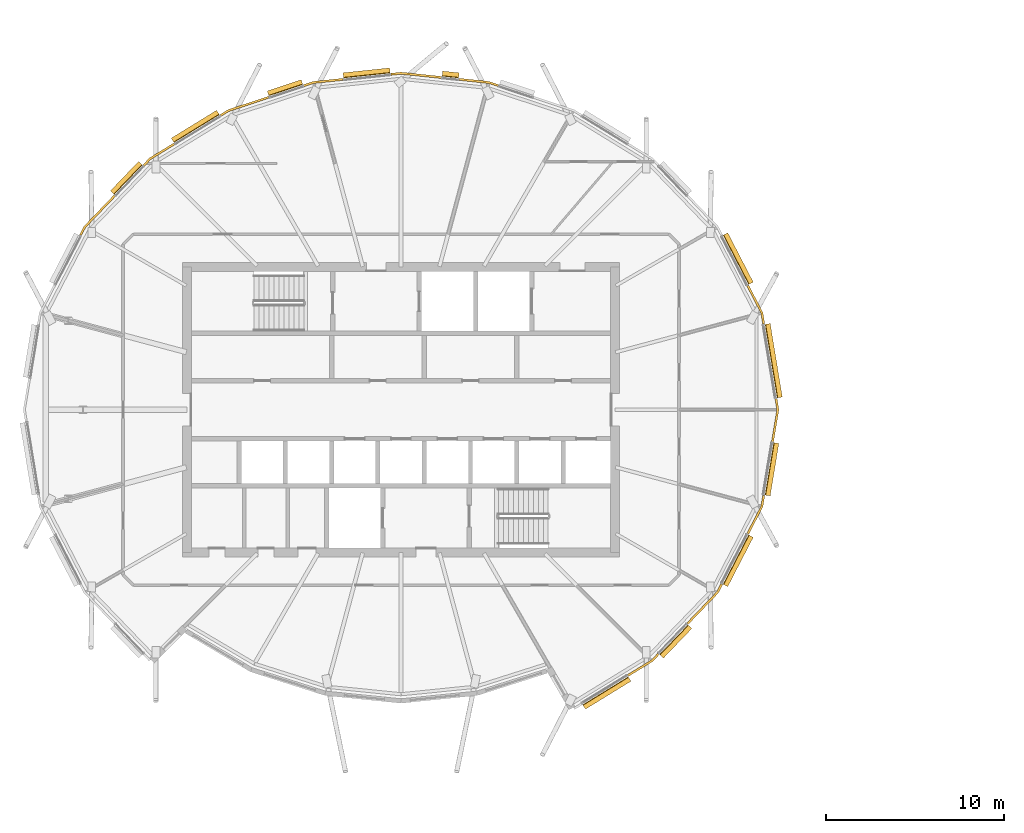
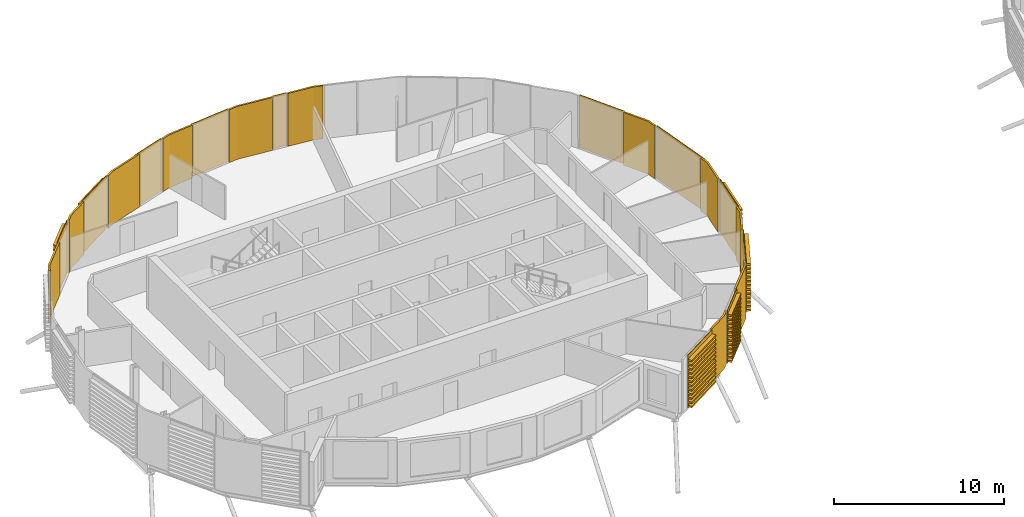
# One storey, part 35 of 38: 22 coverings.
"""IFC4 building model written with IfcOpenShell, lengths in metres."""

from ifc_helpers import new_model, si_unit, direction, frame, origin, place, context, subcontext, project, spatial, polyline, outline, extrude, material, layer, layer_set, material_profile, profile_set, type_object, element, save


model = new_model("IFC4")

# Units and contexts
model_context = context("Model", 3, precision=1e-05, world=origin(), true_north=direction((0.0, 1.0)))
body_context = subcontext(model_context, "Body", "Model", "MODEL_VIEW")
ifc_project = project(units=[si_unit("LENGTHUNIT", "METRE"), si_unit("AREAUNIT", "SQUARE_METRE"), si_unit("VOLUMEUNIT", "CUBIC_METRE"), si_unit("PLANEANGLEUNIT", "RADIAN"), si_unit("MASSUNIT", "GRAM", prefix="KILO")], contexts=[model_context])

# Site, building, storey
site_placement = place(None, origin())
site = spatial("IfcSite", under=ifc_project, at=site_placement, CompositionType="ELEMENT")
building_placement = place(site_placement, origin())
building = spatial("IfcBuilding", under=site, at=building_placement, Name="Rimbun Link Towers", CompositionType="ELEMENT")
storey_placement = place(building_placement, frame((0.0, 0.0, 218.10009765625)))
storey = spatial("IfcBuildingStorey", under=building, at=storey_placement, Name="L53", CompositionType="ELEMENT", Elevation=218.10009765625)

# Coverings
ifc_material_1 = material(Name="Terracotta", Category="masonry")
ifc_layer = layer(ifc_material_1, 0.1201171875)
ifc_layer_set = layer_set([ifc_layer], Name="LINK PIER terracotta cladding 120")
covering_type_1 = type_object("IfcCoveringType", Name="LINK PIER terracotta cladding 120", PredefinedType="CLADDING", material=ifc_layer_set)
covering_1_placement = place(storey_placement, origin())
element("IfcCovering", 1, at=covering_1_placement, inside=storey, type_object=covering_type_1, Name="LINK PIER cladding", PredefinedType="CLADDING", context=body_context, shape_type="SweptSolid", body=[
    extrude(outline(polyline([(-10.790283203125, 0.61181640625), (-10.689697265625, 0.0), (-10.985107421875, -1.7958984375), (-10.86669921875, -1.8154296875), (-10.568115234375, 0.0), (-10.671875, 0.63134765625), (-10.790283203125, 0.61181640625)])), origin(), (0.0, 0.0, 1.0), 3.7998046875),
])
covering_2_placement = place(storey_placement, origin())
element("IfcCovering", 2, at=covering_2_placement, inside=storey, type_object=covering_type_1, Name="LINK PIER cladding", PredefinedType="CLADDING", context=body_context, shape_type="SweptSolid", body=[
    extrude(outline(polyline([(-12.369140625, 6.9326171875), (-11.57861328125, 5.40478515625), (-11.47802734375, 4.793212890625), (-11.359619140625, 4.8125), (-11.46337890625, 5.443115234375), (-12.262451171875, 6.987548828125), (-12.369140625, 6.9326171875)])), origin(), (0.0, 0.0, 1.0), 3.7998046875),
])
covering_3_placement = place(storey_placement, origin())
element("IfcCovering", 3, at=covering_3_placement, inside=storey, type_object=covering_type_1, Name="LINK PIER cladding", PredefinedType="CLADDING", context=body_context, shape_type="SweptSolid", body=[
    extrude(outline(polyline([(-28.510498046875, 18.462646484375), (-26.849853515625, 18.28759765625), (-26.308837890625, 18.1083984375), (-26.27099609375, 18.222412109375), (-26.824462890625, 18.40576171875), (-28.498046875, 18.58203125), (-28.510498046875, 18.462646484375)])), origin(), (0.0, 0.0, 1.0), 3.7998046875),
])
covering_4_placement = place(storey_placement, origin())
element("IfcCovering", 4, at=covering_4_placement, inside=storey, type_object=covering_type_1, Name="LINK PIER cladding", PredefinedType="CLADDING", context=body_context, shape_type="SweptSolid", body=[
    extrude(outline(polyline([(-32.31689453125, 18.743896484375), (-31.75, 18.8037109375), (-29.492431640625, 18.56591796875), (-29.47998046875, 18.685302734375), (-31.75, 18.92431640625), (-32.329345703125, 18.86328125), (-32.31689453125, 18.743896484375)])), origin(), (0.0, 0.0, 1.0), 3.7998046875),
])
covering_5_placement = place(storey_placement, origin())
element("IfcCovering", 5, at=covering_5_placement, inside=storey, type_object=covering_type_1, Name="LINK PIER cladding", PredefinedType="CLADDING", context=body_context, shape_type="SweptSolid", body=[
    extrude(outline(polyline([(-37.191162109375, 18.1083984375), (-36.650146484375, 18.28759765625), (-34.989501953125, 18.462646484375), (-35.001953125, 18.58203125), (-36.675537109375, 18.40576171875), (-37.22900390625, 18.222412109375), (-37.191162109375, 18.1083984375)])), origin(), (0.0, 0.0, 1.0), 3.7998046875),
])
covering_6_placement = place(storey_placement, origin())
element("IfcCovering", 6, at=covering_6_placement, inside=storey, type_object=covering_type_1, Name="LINK PIER cladding", PredefinedType="CLADDING", context=body_context, shape_type="SweptSolid", body=[
    extrude(outline(polyline([(-41.8427734375, 16.441650390625), (-41.399658203125, 16.713623046875), (-39.14990234375, 17.459228515625), (-39.187744140625, 17.5732421875), (-41.45068359375, 16.8232421875), (-41.905517578125, 16.5439453125), (-41.8427734375, 16.441650390625)])), origin(), (0.0, 0.0, 1.0), 3.7998046875),
])
covering_7_placement = place(storey_placement, origin())
element("IfcCovering", 7, at=covering_7_placement, inside=storey, type_object=covering_type_1, Name="LINK PIER cladding", PredefinedType="CLADDING", context=body_context, shape_type="SweptSolid", body=[
    extrude(outline(polyline([(-46.13623046875, 13.651123046875), (-45.7763671875, 14.0263671875), (-44.4384765625, 14.847900390625), (-44.501220703125, 14.9501953125), (-45.852294921875, 14.12060546875), (-46.222900390625, 13.734130859375), (-46.13623046875, 13.651123046875)])), origin(), (0.0, 0.0, 1.0), 3.7998046875),
])
covering_8_placement = place(storey_placement, origin())
element("IfcCovering", 8, at=covering_8_placement, inside=storey, type_object=covering_type_1, Name="LINK PIER cladding", PredefinedType="CLADDING", context=body_context, shape_type="SweptSolid", body=[
    extrude(outline(polyline([(-49.673828125, 9.74853515625), (-49.434814453125, 10.21044921875), (-47.760009765625, 11.957275390625), (-47.8466796875, 12.040283203125), (-49.533447265625, 10.281005859375), (-49.780517578125, 9.8037109375), (-49.673828125, 9.74853515625)])), origin(), (0.0, 0.0, 1.0), 3.7998046875),
])
covering_9_placement = place(storey_placement, origin())
element("IfcCovering", 9, at=covering_9_placement, inside=storey, type_object=covering_type_1, Name="LINK PIER cladding", PredefinedType="CLADDING", context=body_context, shape_type="SweptSolid", body=[
    extrude(outline(polyline([(-17.36376953125, -13.651123046875), (-17.7236328125, -14.0263671875), (-19.0615234375, -14.847900390625), (-18.998779296875, -14.9501953125), (-17.647705078125, -14.12060546875), (-17.277099609375, -13.734130859375), (-17.36376953125, -13.651123046875)])), origin(), (0.0, 0.0, 1.0), 3.7998046875),
])
covering_10_placement = place(storey_placement, origin())
element("IfcCovering", 10, at=covering_10_placement, inside=storey, type_object=covering_type_1, Name="LINK PIER cladding", PredefinedType="CLADDING", context=body_context, shape_type="SweptSolid", body=[
    extrude(outline(polyline([(-13.826171875, -9.74853515625), (-14.065185546875, -10.21044921875), (-15.739990234375, -11.957275390625), (-15.6533203125, -12.040283203125), (-13.966552734375, -10.281005859375), (-13.719482421875, -9.8037109375), (-13.826171875, -9.74853515625)])), origin(), (0.0, 0.0, 1.0), 3.7998046875),
])
covering_11_placement = place(storey_placement, origin())
element("IfcCovering", 11, at=covering_11_placement, inside=storey, type_object=covering_type_1, Name="LINK PIER cladding", PredefinedType="CLADDING", context=body_context, shape_type="SweptSolid", body=[
    extrude(outline(polyline([(-11.47802734375, -4.793212890625), (-11.57861328125, -5.40478515625), (-12.369140625, -6.9326171875), (-12.262451171875, -6.987548828125), (-11.46337890625, -5.443115234375), (-11.359619140625, -4.8125), (-11.47802734375, -4.793212890625)])), origin(), (0.0, 0.0, 1.0), 3.7998046875),
])
ifc_material_2 = material(Name="Terracotta", Category="masonry")
ifc_material_profile = material_profile(ifc_material_2, outline(polyline([(0.123046875, 0.0), (0.1630859375, 0.0), (0.1630859375, 0.10009765625), (0.423095703125, 0.10009765625), (0.423095703125, 0.219970703125), (0.1630859375, 0.219970703125), (0.1630859375, 0.39990234375), (0.423095703125, 0.39990234375), (0.423095703125, 0.52001953125), (0.1630859375, 0.52001953125), (0.1630859375, 0.699951171875), (0.423095703125, 0.699951171875), (0.423095703125, 0.820068359375), (0.1630859375, 0.820068359375), (0.1630859375, 1.0), (0.423095703125, 1.0), (0.423095703125, 1.1201171875), (0.1630859375, 1.1201171875), (0.1630859375, 1.300048828125), (0.423095703125, 1.300048828125), (0.423095703125, 1.419921875), (0.1630859375, 1.419921875), (0.1630859375, 1.60009765625), (0.423095703125, 1.60009765625), (0.423095703125, 1.719970703125), (0.1630859375, 1.719970703125), (0.1630859375, 1.89990234375), (0.423095703125, 1.89990234375), (0.423095703125, 2.02001953125), (0.1630859375, 2.02001953125), (0.1630859375, 2.199951171875), (0.423095703125, 2.199951171875), (0.423095703125, 2.320068359375), (0.1630859375, 2.320068359375), (0.1630859375, 2.5), (0.423095703125, 2.5), (0.423095703125, 2.6201171875), (0.1630859375, 2.6201171875), (0.1630859375, 2.800048828125), (0.423095703125, 2.800048828125), (0.423095703125, 2.919921875), (0.1630859375, 2.919921875), (0.1630859375, 3.10009765625), (0.423095703125, 3.10009765625), (0.423095703125, 3.219970703125), (0.1630859375, 3.219970703125), (0.1630859375, 3.39990234375), (0.423095703125, 3.39990234375), (0.423095703125, 3.52001953125), (0.1630859375, 3.52001953125), (0.1630859375, 3.800048828125), (0.123046875, 3.800048828125), (0.123046875, 0.0)])), Name="BAGUETTE 120X300")
ifc_profile_set = profile_set([ifc_material_profile], Name="Terracotta")
covering_type_2 = type_object("IfcCoveringType", Name="TERRACOTTA BAGUETTE 120X300 H3800", PredefinedType="CLADDING", material=ifc_profile_set)
covering_12_placement = place(storey_placement, frame((-11.47314453125, 4.763427734375, 0.0), z_axis=(0.162294685122, -0.986742334747, 0.0), x_axis=(0.986742334747, 0.162294685122, 0.0)))
element("IfcCovering", 12, at=covering_12_placement, inside=storey, type_object=covering_type_2, Name="TERRACOTTA BAGUETTE", PredefinedType="CLADDING", context=body_context, shape_type="SweptSolid", body=[
    extrude(outline(polyline([(0.123046875, 0.0), (0.1630859375, 0.0), (0.1630859375, 0.10009765625), (0.423095703125, 0.10009765625), (0.423095703125, 0.219970703125), (0.1630859375, 0.219970703125), (0.1630859375, 0.39990234375), (0.423095703125, 0.39990234375), (0.423095703125, 0.52001953125), (0.1630859375, 0.52001953125), (0.1630859375, 0.699951171875), (0.423095703125, 0.699951171875), (0.423095703125, 0.820068359375), (0.1630859375, 0.820068359375), (0.1630859375, 1.0), (0.423095703125, 1.0), (0.423095703125, 1.1201171875), (0.1630859375, 1.1201171875), (0.1630859375, 1.300048828125), (0.423095703125, 1.300048828125), (0.423095703125, 1.419921875), (0.1630859375, 1.419921875), (0.1630859375, 1.60009765625), (0.423095703125, 1.60009765625), (0.423095703125, 1.719970703125), (0.1630859375, 1.719970703125), (0.1630859375, 1.89990234375), (0.423095703125, 1.89990234375), (0.423095703125, 2.02001953125), (0.1630859375, 2.02001953125), (0.1630859375, 2.199951171875), (0.423095703125, 2.199951171875), (0.423095703125, 2.320068359375), (0.1630859375, 2.320068359375), (0.1630859375, 2.5), (0.423095703125, 2.5), (0.423095703125, 2.6201171875), (0.1630859375, 2.6201171875), (0.1630859375, 2.800048828125), (0.423095703125, 2.800048828125), (0.423095703125, 2.919921875), (0.1630859375, 2.919921875), (0.1630859375, 3.10009765625), (0.423095703125, 3.10009765625), (0.423095703125, 3.219970703125), (0.1630859375, 3.219970703125), (0.1630859375, 3.39990234375), (0.423095703125, 3.39990234375), (0.423095703125, 3.52001953125), (0.1630859375, 3.52001953125), (0.1630859375, 3.800048828125), (0.123046875, 3.800048828125), (0.123046875, 0.0)])), origin(), (0.0, 0.0, 1.0), 4.177490234375),
])
covering_13_placement = place(storey_placement, frame((-13.812255859375, 9.721923828125, 0.0), z_axis=(0.459540350584, -0.888156892776, 0.0), x_axis=(0.888156892776, 0.459540350584, 0.0)))
element("IfcCovering", 13, at=covering_13_placement, inside=storey, type_object=covering_type_2, Name="TERRACOTTA BAGUETTE", PredefinedType="CLADDING", context=body_context, shape_type="SweptSolid", body=[
    extrude(outline(polyline([(0.123046875, 0.0), (0.1630859375, 0.0), (0.1630859375, 0.10009765625), (0.423095703125, 0.10009765625), (0.423095703125, 0.219970703125), (0.1630859375, 0.219970703125), (0.1630859375, 0.39990234375), (0.423095703125, 0.39990234375), (0.423095703125, 0.52001953125), (0.1630859375, 0.52001953125), (0.1630859375, 0.699951171875), (0.423095703125, 0.699951171875), (0.423095703125, 0.820068359375), (0.1630859375, 0.820068359375), (0.1630859375, 1.0), (0.423095703125, 1.0), (0.423095703125, 1.1201171875), (0.1630859375, 1.1201171875), (0.1630859375, 1.300048828125), (0.423095703125, 1.300048828125), (0.423095703125, 1.419921875), (0.1630859375, 1.419921875), (0.1630859375, 1.60009765625), (0.423095703125, 1.60009765625), (0.423095703125, 1.719970703125), (0.1630859375, 1.719970703125), (0.1630859375, 1.89990234375), (0.423095703125, 1.89990234375), (0.423095703125, 2.02001953125), (0.1630859375, 2.02001953125), (0.1630859375, 2.199951171875), (0.423095703125, 2.199951171875), (0.423095703125, 2.320068359375), (0.1630859375, 2.320068359375), (0.1630859375, 2.5), (0.423095703125, 2.5), (0.423095703125, 2.6201171875), (0.1630859375, 2.6201171875), (0.1630859375, 2.800048828125), (0.423095703125, 2.800048828125), (0.423095703125, 2.919921875), (0.1630859375, 2.919921875), (0.1630859375, 3.10009765625), (0.423095703125, 3.10009765625), (0.423095703125, 3.219970703125), (0.1630859375, 3.219970703125), (0.1630859375, 3.39990234375), (0.423095703125, 3.39990234375), (0.423095703125, 3.52001953125), (0.1630859375, 3.52001953125), (0.1630859375, 3.800048828125), (0.123046875, 3.800048828125), (0.123046875, 0.0)])), origin(), (0.0, 0.0, 1.0), 3.110595703125),
])
covering_14_placement = place(storey_placement, frame((-29.462646484375, 18.562744140625, 0.0), z_axis=(0.994521312223, -0.104534011372, 0.0), x_axis=(0.104534011372, 0.994521312223, 0.0)))
element("IfcCovering", 14, at=covering_14_placement, inside=storey, type_object=covering_type_2, Name="TERRACOTTA BAGUETTE", PredefinedType="CLADDING", context=body_context, shape_type="SweptSolid", body=[
    extrude(outline(polyline([(0.123046875, 0.0), (0.1630859375, 0.0), (0.1630859375, 0.10009765625), (0.423095703125, 0.10009765625), (0.423095703125, 0.219970703125), (0.1630859375, 0.219970703125), (0.1630859375, 0.39990234375), (0.423095703125, 0.39990234375), (0.423095703125, 0.52001953125), (0.1630859375, 0.52001953125), (0.1630859375, 0.699951171875), (0.423095703125, 0.699951171875), (0.423095703125, 0.820068359375), (0.1630859375, 0.820068359375), (0.1630859375, 1.0), (0.423095703125, 1.0), (0.423095703125, 1.1201171875), (0.1630859375, 1.1201171875), (0.1630859375, 1.300048828125), (0.423095703125, 1.300048828125), (0.423095703125, 1.419921875), (0.1630859375, 1.419921875), (0.1630859375, 1.60009765625), (0.423095703125, 1.60009765625), (0.423095703125, 1.719970703125), (0.1630859375, 1.719970703125), (0.1630859375, 1.89990234375), (0.423095703125, 1.89990234375), (0.423095703125, 2.02001953125), (0.1630859375, 2.02001953125), (0.1630859375, 2.199951171875), (0.423095703125, 2.199951171875), (0.423095703125, 2.320068359375), (0.1630859375, 2.320068359375), (0.1630859375, 2.5), (0.423095703125, 2.5), (0.423095703125, 2.6201171875), (0.1630859375, 2.6201171875), (0.1630859375, 2.800048828125), (0.423095703125, 2.800048828125), (0.423095703125, 2.919921875), (0.1630859375, 2.919921875), (0.1630859375, 3.10009765625), (0.423095703125, 3.10009765625), (0.423095703125, 3.219970703125), (0.1630859375, 3.219970703125), (0.1630859375, 3.39990234375), (0.423095703125, 3.39990234375), (0.423095703125, 3.52001953125), (0.1630859375, 3.52001953125), (0.1630859375, 3.800048828125), (0.123046875, 3.800048828125), (0.123046875, 0.0)])), origin(), (0.0, 0.0, 1.0), 0.92724609375),
])
covering_15_placement = place(storey_placement, frame((-34.95947265625, 18.4658203125, 0.0), z_axis=(0.994500869285, 0.104728319911, 0.0), x_axis=(-0.104728319911, 0.994500869285, 0.0)))
element("IfcCovering", 15, at=covering_15_placement, inside=storey, type_object=covering_type_2, Name="TERRACOTTA BAGUETTE", PredefinedType="CLADDING", context=body_context, shape_type="SweptSolid", body=[
    extrude(outline(polyline([(0.123046875, 0.0), (0.1630859375, 0.0), (0.1630859375, 0.10009765625), (0.423095703125, 0.10009765625), (0.423095703125, 0.219970703125), (0.1630859375, 0.219970703125), (0.1630859375, 0.39990234375), (0.423095703125, 0.39990234375), (0.423095703125, 0.52001953125), (0.1630859375, 0.52001953125), (0.1630859375, 0.699951171875), (0.423095703125, 0.699951171875), (0.423095703125, 0.820068359375), (0.1630859375, 0.820068359375), (0.1630859375, 1.0), (0.423095703125, 1.0), (0.423095703125, 1.1201171875), (0.1630859375, 1.1201171875), (0.1630859375, 1.300048828125), (0.423095703125, 1.300048828125), (0.423095703125, 1.419921875), (0.1630859375, 1.419921875), (0.1630859375, 1.60009765625), (0.423095703125, 1.60009765625), (0.423095703125, 1.719970703125), (0.1630859375, 1.719970703125), (0.1630859375, 1.89990234375), (0.423095703125, 1.89990234375), (0.423095703125, 2.02001953125), (0.1630859375, 2.02001953125), (0.1630859375, 2.199951171875), (0.423095703125, 2.199951171875), (0.423095703125, 2.320068359375), (0.1630859375, 2.320068359375), (0.1630859375, 2.5), (0.423095703125, 2.5), (0.423095703125, 2.6201171875), (0.1630859375, 2.6201171875), (0.1630859375, 2.800048828125), (0.423095703125, 2.800048828125), (0.423095703125, 2.919921875), (0.1630859375, 2.919921875), (0.1630859375, 3.10009765625), (0.423095703125, 3.10009765625), (0.423095703125, 3.219970703125), (0.1630859375, 3.219970703125), (0.1630859375, 3.39990234375), (0.423095703125, 3.39990234375), (0.423095703125, 3.52001953125), (0.1630859375, 3.52001953125), (0.1630859375, 3.800048828125), (0.123046875, 3.800048828125), (0.123046875, 0.0)])), origin(), (0.0, 0.0, 1.0), 2.627197265625),
])
covering_16_placement = place(storey_placement, frame((-39.12158203125, 17.46875, 0.0), z_axis=(0.949254463086, 0.314509084625, 0.0), x_axis=(-0.314509084625, 0.949254463086, 0.0)))
element("IfcCovering", 16, at=covering_16_placement, inside=storey, type_object=covering_type_2, Name="TERRACOTTA BAGUETTE", PredefinedType="CLADDING", context=body_context, shape_type="SweptSolid", body=[
    extrude(outline(polyline([(0.123046875, 0.0), (0.1630859375, 0.0), (0.1630859375, 0.10009765625), (0.423095703125, 0.10009765625), (0.423095703125, 0.219970703125), (0.1630859375, 0.219970703125), (0.1630859375, 0.39990234375), (0.423095703125, 0.39990234375), (0.423095703125, 0.52001953125), (0.1630859375, 0.52001953125), (0.1630859375, 0.699951171875), (0.423095703125, 0.699951171875), (0.423095703125, 0.820068359375), (0.1630859375, 0.820068359375), (0.1630859375, 1.0), (0.423095703125, 1.0), (0.423095703125, 1.1201171875), (0.1630859375, 1.1201171875), (0.1630859375, 1.300048828125), (0.423095703125, 1.300048828125), (0.423095703125, 1.419921875), (0.1630859375, 1.419921875), (0.1630859375, 1.60009765625), (0.423095703125, 1.60009765625), (0.423095703125, 1.719970703125), (0.1630859375, 1.719970703125), (0.1630859375, 1.89990234375), (0.423095703125, 1.89990234375), (0.423095703125, 2.02001953125), (0.1630859375, 2.02001953125), (0.1630859375, 2.199951171875), (0.423095703125, 2.199951171875), (0.423095703125, 2.320068359375), (0.1630859375, 2.320068359375), (0.1630859375, 2.5), (0.423095703125, 2.5), (0.423095703125, 2.6201171875), (0.1630859375, 2.6201171875), (0.1630859375, 2.800048828125), (0.423095703125, 2.800048828125), (0.423095703125, 2.919921875), (0.1630859375, 2.919921875), (0.1630859375, 3.10009765625), (0.423095703125, 3.10009765625), (0.423095703125, 3.219970703125), (0.1630859375, 3.219970703125), (0.1630859375, 3.39990234375), (0.423095703125, 3.39990234375), (0.423095703125, 3.52001953125), (0.1630859375, 3.52001953125), (0.1630859375, 3.800048828125), (0.123046875, 3.800048828125), (0.123046875, 0.0)])), origin(), (0.0, 0.0, 1.0), 2.00341796875),
])
covering_17_placement = place(storey_placement, frame((-44.412841796875, 14.863525390625, 0.0), z_axis=(0.852152035837, 0.523294284145, 0.0), x_axis=(-0.523294284145, 0.852152035837, 0.0)))
element("IfcCovering", 17, at=covering_17_placement, inside=storey, type_object=covering_type_2, Name="TERRACOTTA BAGUETTE", PredefinedType="CLADDING", context=body_context, shape_type="SweptSolid", body=[
    extrude(outline(polyline([(0.123046875, 0.0), (0.1630859375, 0.0), (0.1630859375, 0.10009765625), (0.423095703125, 0.10009765625), (0.423095703125, 0.219970703125), (0.1630859375, 0.219970703125), (0.1630859375, 0.39990234375), (0.423095703125, 0.39990234375), (0.423095703125, 0.52001953125), (0.1630859375, 0.52001953125), (0.1630859375, 0.699951171875), (0.423095703125, 0.699951171875), (0.423095703125, 0.820068359375), (0.1630859375, 0.820068359375), (0.1630859375, 1.0), (0.423095703125, 1.0), (0.423095703125, 1.1201171875), (0.1630859375, 1.1201171875), (0.1630859375, 1.300048828125), (0.423095703125, 1.300048828125), (0.423095703125, 1.419921875), (0.1630859375, 1.419921875), (0.1630859375, 1.60009765625), (0.423095703125, 1.60009765625), (0.423095703125, 1.719970703125), (0.1630859375, 1.719970703125), (0.1630859375, 1.89990234375), (0.423095703125, 1.89990234375), (0.423095703125, 2.02001953125), (0.1630859375, 2.02001953125), (0.1630859375, 2.199951171875), (0.423095703125, 2.199951171875), (0.423095703125, 2.320068359375), (0.1630859375, 2.320068359375), (0.1630859375, 2.5), (0.423095703125, 2.5), (0.423095703125, 2.6201171875), (0.1630859375, 2.6201171875), (0.1630859375, 2.800048828125), (0.423095703125, 2.800048828125), (0.423095703125, 2.919921875), (0.1630859375, 2.919921875), (0.1630859375, 3.10009765625), (0.423095703125, 3.10009765625), (0.423095703125, 3.219970703125), (0.1630859375, 3.219970703125), (0.1630859375, 3.39990234375), (0.423095703125, 3.39990234375), (0.423095703125, 3.52001953125), (0.1630859375, 3.52001953125), (0.1630859375, 3.800048828125), (0.123046875, 3.800048828125), (0.123046875, 0.0)])), origin(), (0.0, 0.0, 1.0), 2.98583984375),
])
covering_18_placement = place(storey_placement, frame((-47.7392578125, 11.97900390625, 0.0), z_axis=(0.692053780348, 0.721845942779, 0.0), x_axis=(-0.721845942779, 0.692053780348, 0.0)))
element("IfcCovering", 18, at=covering_18_placement, inside=storey, type_object=covering_type_2, Name="TERRACOTTA BAGUETTE", PredefinedType="CLADDING", context=body_context, shape_type="SweptSolid", body=[
    extrude(outline(polyline([(0.123046875, 0.0), (0.1630859375, 0.0), (0.1630859375, 0.10009765625), (0.423095703125, 0.10009765625), (0.423095703125, 0.219970703125), (0.1630859375, 0.219970703125), (0.1630859375, 0.39990234375), (0.423095703125, 0.39990234375), (0.423095703125, 0.52001953125), (0.1630859375, 0.52001953125), (0.1630859375, 0.699951171875), (0.423095703125, 0.699951171875), (0.423095703125, 0.820068359375), (0.1630859375, 0.820068359375), (0.1630859375, 1.0), (0.423095703125, 1.0), (0.423095703125, 1.1201171875), (0.1630859375, 1.1201171875), (0.1630859375, 1.300048828125), (0.423095703125, 1.300048828125), (0.423095703125, 1.419921875), (0.1630859375, 1.419921875), (0.1630859375, 1.60009765625), (0.423095703125, 1.60009765625), (0.423095703125, 1.719970703125), (0.1630859375, 1.719970703125), (0.1630859375, 1.89990234375), (0.423095703125, 1.89990234375), (0.423095703125, 2.02001953125), (0.1630859375, 2.02001953125), (0.1630859375, 2.199951171875), (0.423095703125, 2.199951171875), (0.423095703125, 2.320068359375), (0.1630859375, 2.320068359375), (0.1630859375, 2.5), (0.423095703125, 2.5), (0.423095703125, 2.6201171875), (0.1630859375, 2.6201171875), (0.1630859375, 2.800048828125), (0.423095703125, 2.800048828125), (0.423095703125, 2.919921875), (0.1630859375, 2.919921875), (0.1630859375, 3.10009765625), (0.423095703125, 3.10009765625), (0.423095703125, 3.219970703125), (0.1630859375, 3.219970703125), (0.1630859375, 3.39990234375), (0.423095703125, 3.39990234375), (0.423095703125, 3.52001953125), (0.1630859375, 3.52001953125), (0.1630859375, 3.800048828125), (0.123046875, 3.800048828125), (0.123046875, 0.0)])), origin(), (0.0, 0.0, 1.0), 2.286376953125),
])
covering_19_placement = place(storey_placement, frame((-19.087158203125, -14.863525390625, 0.0), z_axis=(-0.852152035837, -0.523294284145, 0.0), x_axis=(0.523294284145, -0.852152035837, 0.0)))
element("IfcCovering", 19, at=covering_19_placement, inside=storey, type_object=covering_type_2, Name="TERRACOTTA BAGUETTE", PredefinedType="CLADDING", context=body_context, shape_type="SweptSolid", body=[
    extrude(outline(polyline([(0.123046875, 0.0), (0.1630859375, 0.0), (0.1630859375, 0.10009765625), (0.423095703125, 0.10009765625), (0.423095703125, 0.219970703125), (0.1630859375, 0.219970703125), (0.1630859375, 0.39990234375), (0.423095703125, 0.39990234375), (0.423095703125, 0.52001953125), (0.1630859375, 0.52001953125), (0.1630859375, 0.699951171875), (0.423095703125, 0.699951171875), (0.423095703125, 0.820068359375), (0.1630859375, 0.820068359375), (0.1630859375, 1.0), (0.423095703125, 1.0), (0.423095703125, 1.1201171875), (0.1630859375, 1.1201171875), (0.1630859375, 1.300048828125), (0.423095703125, 1.300048828125), (0.423095703125, 1.419921875), (0.1630859375, 1.419921875), (0.1630859375, 1.60009765625), (0.423095703125, 1.60009765625), (0.423095703125, 1.719970703125), (0.1630859375, 1.719970703125), (0.1630859375, 1.89990234375), (0.423095703125, 1.89990234375), (0.423095703125, 2.02001953125), (0.1630859375, 2.02001953125), (0.1630859375, 2.199951171875), (0.423095703125, 2.199951171875), (0.423095703125, 2.320068359375), (0.1630859375, 2.320068359375), (0.1630859375, 2.5), (0.423095703125, 2.5), (0.423095703125, 2.6201171875), (0.1630859375, 2.6201171875), (0.1630859375, 2.800048828125), (0.423095703125, 2.800048828125), (0.423095703125, 2.919921875), (0.1630859375, 2.919921875), (0.1630859375, 3.10009765625), (0.423095703125, 3.10009765625), (0.423095703125, 3.219970703125), (0.1630859375, 3.219970703125), (0.1630859375, 3.39990234375), (0.423095703125, 3.39990234375), (0.423095703125, 3.52001953125), (0.1630859375, 3.52001953125), (0.1630859375, 3.800048828125), (0.123046875, 3.800048828125), (0.123046875, 0.0)])), origin(), (0.0, 0.0, 1.0), 2.98583984375),
])
covering_20_placement = place(storey_placement, frame((-15.7607421875, -11.97900390625, 0.0), z_axis=(-0.692053780348, -0.721845942779, 0.0), x_axis=(0.721845942779, -0.692053780348, 0.0)))
element("IfcCovering", 20, at=covering_20_placement, inside=storey, type_object=covering_type_2, Name="TERRACOTTA BAGUETTE", PredefinedType="CLADDING", context=body_context, shape_type="SweptSolid", body=[
    extrude(outline(polyline([(0.123046875, 0.0), (0.1630859375, 0.0), (0.1630859375, 0.10009765625), (0.423095703125, 0.10009765625), (0.423095703125, 0.219970703125), (0.1630859375, 0.219970703125), (0.1630859375, 0.39990234375), (0.423095703125, 0.39990234375), (0.423095703125, 0.52001953125), (0.1630859375, 0.52001953125), (0.1630859375, 0.699951171875), (0.423095703125, 0.699951171875), (0.423095703125, 0.820068359375), (0.1630859375, 0.820068359375), (0.1630859375, 1.0), (0.423095703125, 1.0), (0.423095703125, 1.1201171875), (0.1630859375, 1.1201171875), (0.1630859375, 1.300048828125), (0.423095703125, 1.300048828125), (0.423095703125, 1.419921875), (0.1630859375, 1.419921875), (0.1630859375, 1.60009765625), (0.423095703125, 1.60009765625), (0.423095703125, 1.719970703125), (0.1630859375, 1.719970703125), (0.1630859375, 1.89990234375), (0.423095703125, 1.89990234375), (0.423095703125, 2.02001953125), (0.1630859375, 2.02001953125), (0.1630859375, 2.199951171875), (0.423095703125, 2.199951171875), (0.423095703125, 2.320068359375), (0.1630859375, 2.320068359375), (0.1630859375, 2.5), (0.423095703125, 2.5), (0.423095703125, 2.6201171875), (0.1630859375, 2.6201171875), (0.1630859375, 2.800048828125), (0.423095703125, 2.800048828125), (0.423095703125, 2.919921875), (0.1630859375, 2.919921875), (0.1630859375, 3.10009765625), (0.423095703125, 3.10009765625), (0.423095703125, 3.219970703125), (0.1630859375, 3.219970703125), (0.1630859375, 3.39990234375), (0.423095703125, 3.39990234375), (0.423095703125, 3.52001953125), (0.1630859375, 3.52001953125), (0.1630859375, 3.800048828125), (0.123046875, 3.800048828125), (0.123046875, 0.0)])), origin(), (0.0, 0.0, 1.0), 2.286376953125),
])
covering_21_placement = place(storey_placement, frame((-12.3828125, -6.959228515625, 0.0), z_axis=(-0.459540350584, -0.888156892776, 0.0), x_axis=(0.888156892776, -0.459540350584, 0.0)))
element("IfcCovering", 21, at=covering_21_placement, inside=storey, type_object=covering_type_2, Name="TERRACOTTA BAGUETTE", PredefinedType="CLADDING", context=body_context, shape_type="SweptSolid", body=[
    extrude(outline(polyline([(0.123046875, 0.0), (0.1630859375, 0.0), (0.1630859375, 0.10009765625), (0.423095703125, 0.10009765625), (0.423095703125, 0.219970703125), (0.1630859375, 0.219970703125), (0.1630859375, 0.39990234375), (0.423095703125, 0.39990234375), (0.423095703125, 0.52001953125), (0.1630859375, 0.52001953125), (0.1630859375, 0.699951171875), (0.423095703125, 0.699951171875), (0.423095703125, 0.820068359375), (0.1630859375, 0.820068359375), (0.1630859375, 1.0), (0.423095703125, 1.0), (0.423095703125, 1.1201171875), (0.1630859375, 1.1201171875), (0.1630859375, 1.300048828125), (0.423095703125, 1.300048828125), (0.423095703125, 1.419921875), (0.1630859375, 1.419921875), (0.1630859375, 1.60009765625), (0.423095703125, 1.60009765625), (0.423095703125, 1.719970703125), (0.1630859375, 1.719970703125), (0.1630859375, 1.89990234375), (0.423095703125, 1.89990234375), (0.423095703125, 2.02001953125), (0.1630859375, 2.02001953125), (0.1630859375, 2.199951171875), (0.423095703125, 2.199951171875), (0.423095703125, 2.320068359375), (0.1630859375, 2.320068359375), (0.1630859375, 2.5), (0.423095703125, 2.5), (0.423095703125, 2.6201171875), (0.1630859375, 2.6201171875), (0.1630859375, 2.800048828125), (0.423095703125, 2.800048828125), (0.423095703125, 2.919921875), (0.1630859375, 2.919921875), (0.1630859375, 3.10009765625), (0.423095703125, 3.10009765625), (0.423095703125, 3.219970703125), (0.1630859375, 3.219970703125), (0.1630859375, 3.39990234375), (0.423095703125, 3.39990234375), (0.423095703125, 3.52001953125), (0.1630859375, 3.52001953125), (0.1630859375, 3.800048828125), (0.123046875, 3.800048828125), (0.123046875, 0.0)])), origin(), (0.0, 0.0, 1.0), 3.110595703125),
])
covering_22_placement = place(storey_placement, frame((-10.989990234375, -1.825439453125, 0.0), z_axis=(-0.162271127458, -0.98674620911, 0.0), x_axis=(0.98674620911, -0.162271127458, 0.0)))
element("IfcCovering", 22, at=covering_22_placement, inside=storey, type_object=covering_type_2, Name="TERRACOTTA BAGUETTE", PredefinedType="CLADDING", context=body_context, shape_type="SweptSolid", body=[
    extrude(outline(polyline([(0.123046875, 0.0), (0.1630859375, 0.0), (0.1630859375, 0.10009765625), (0.423095703125, 0.10009765625), (0.423095703125, 0.219970703125), (0.1630859375, 0.219970703125), (0.1630859375, 0.39990234375), (0.423095703125, 0.39990234375), (0.423095703125, 0.52001953125), (0.1630859375, 0.52001953125), (0.1630859375, 0.699951171875), (0.423095703125, 0.699951171875), (0.423095703125, 0.820068359375), (0.1630859375, 0.820068359375), (0.1630859375, 1.0), (0.423095703125, 1.0), (0.423095703125, 1.1201171875), (0.1630859375, 1.1201171875), (0.1630859375, 1.300048828125), (0.423095703125, 1.300048828125), (0.423095703125, 1.419921875), (0.1630859375, 1.419921875), (0.1630859375, 1.60009765625), (0.423095703125, 1.60009765625), (0.423095703125, 1.719970703125), (0.1630859375, 1.719970703125), (0.1630859375, 1.89990234375), (0.423095703125, 1.89990234375), (0.423095703125, 2.02001953125), (0.1630859375, 2.02001953125), (0.1630859375, 2.199951171875), (0.423095703125, 2.199951171875), (0.423095703125, 2.320068359375), (0.1630859375, 2.320068359375), (0.1630859375, 2.5), (0.423095703125, 2.5), (0.423095703125, 2.6201171875), (0.1630859375, 2.6201171875), (0.1630859375, 2.800048828125), (0.423095703125, 2.800048828125), (0.423095703125, 2.919921875), (0.1630859375, 2.919921875), (0.1630859375, 3.10009765625), (0.423095703125, 3.10009765625), (0.423095703125, 3.219970703125), (0.1630859375, 3.219970703125), (0.1630859375, 3.39990234375), (0.423095703125, 3.39990234375), (0.423095703125, 3.52001953125), (0.1630859375, 3.52001953125), (0.1630859375, 3.800048828125), (0.123046875, 3.800048828125), (0.123046875, 0.0)])), origin(), (0.0, 0.0, 1.0), 2.9775390625),
])

save(model, "model.ifc")
